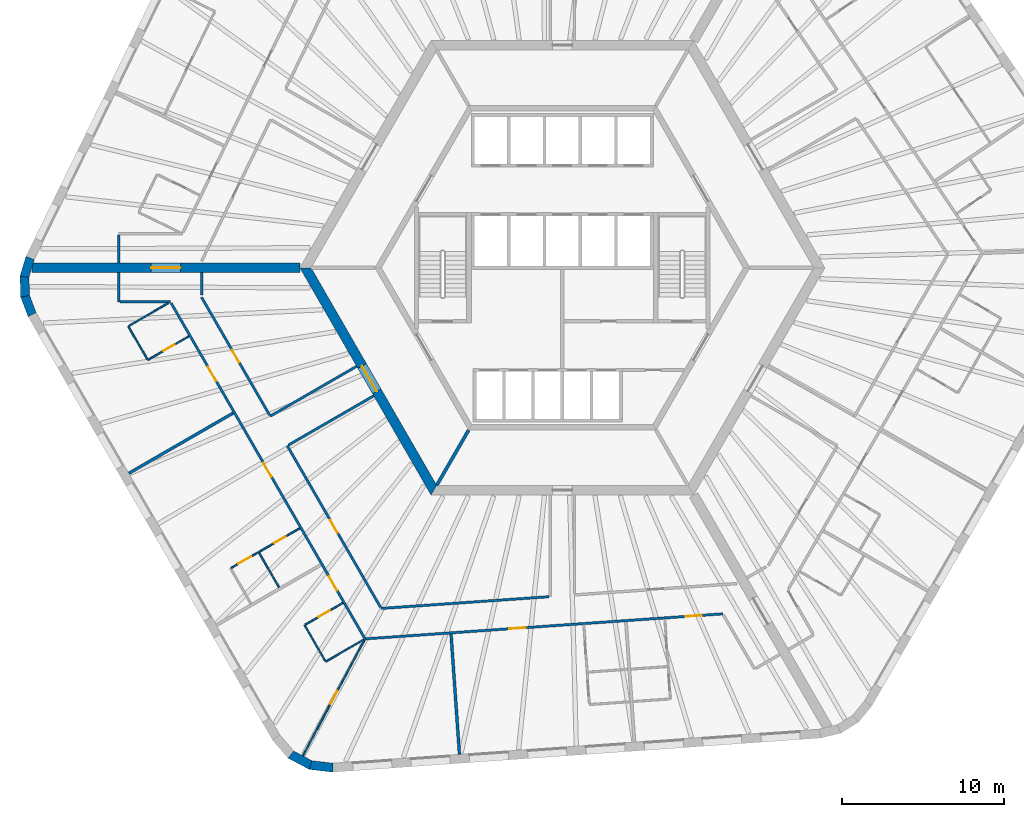
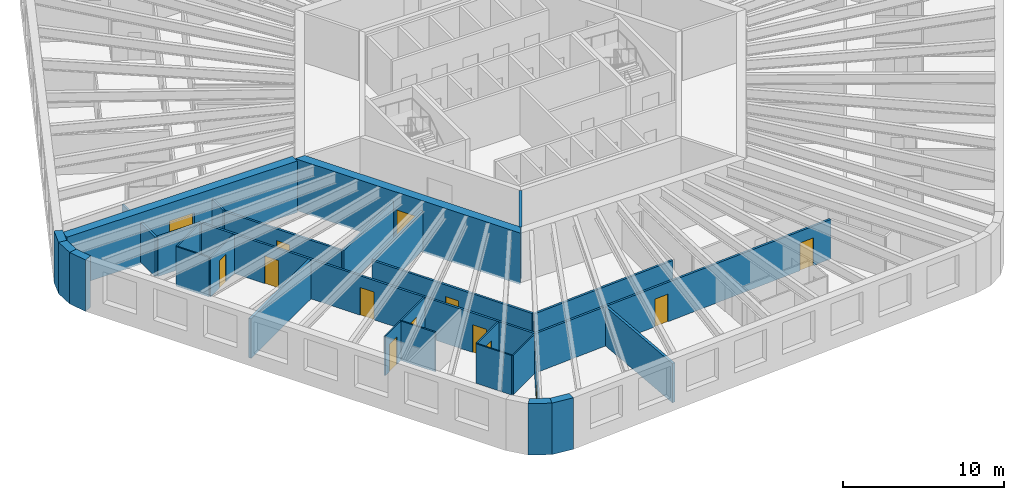
# One storey, part 3 of 11: 31 walls, 14 doors, 14 openings.
"""IFC4 building model written with IfcOpenShell, lengths in metres."""

from ifc_helpers import new_model, si_unit, direction, frame, frame_2d, origin, place, context, subcontext, project, spatial, polyline, rectangle, outline, extrude, material, layer, layer_set, type_object, element, fill, save


model = new_model("IFC4")

# Units and contexts
model_context = context("Model", 3, precision=1e-05, world=origin(), true_north=direction((0.0, 1.0)))
body_context = subcontext(model_context, "Body", "Model", "MODEL_VIEW")
ifc_project = project(units=[si_unit("LENGTHUNIT", "METRE"), si_unit("AREAUNIT", "SQUARE_METRE"), si_unit("VOLUMEUNIT", "CUBIC_METRE"), si_unit("PLANEANGLEUNIT", "RADIAN"), si_unit("MASSUNIT", "GRAM", prefix="KILO")], contexts=[model_context])

# Site, building, storey
site_placement = place(None, origin())
site = spatial("IfcSite", under=ifc_project, at=site_placement, CompositionType="ELEMENT")
building_placement = place(site_placement, origin())
building = spatial("IfcBuilding", under=site, at=building_placement, Name="Tarnside Tower", CompositionType="ELEMENT")
storey_placement = place(building_placement, frame((0.0, 0.0, 45.300048828125)))
storey = spatial("IfcBuildingStorey", under=building, at=storey_placement, Name="L08", CompositionType="ELEMENT", Elevation=45.300048828125)

# Wall, opening, door
ifc_material_1 = material(Name="Gypsum board partition on steel studs", Category="steel")
ifc_layer_1 = layer(ifc_material_1, 0.10009765625)
ifc_layer_set_1 = layer_set([ifc_layer_1], Name="Bathroom wall 100")
wall_type_1 = type_object("IfcWallType", Name="Bathroom wall 100", PredefinedType="PARTITIONING", material=ifc_layer_set_1)
wall_1_placement = place(storey_placement, frame((-22.998291015625, -4.216064453125, 0.0), z_axis=(0.0, 0.0, 1.0), x_axis=(-0.866025730634, -0.499999433879, 0.0)))
wall_1 = element("IfcWall", 1, at=wall_1_placement, inside=storey, type_object=wall_type_1, Name="Bathroom wall 01100", PredefinedType="PARTITIONING", context=body_context, shape_type="SweptSolid", body=[
    extrude(rectangle(XDim=2.9248046875, YDim=0.10009765625, at=frame_2d((1.46240234375, 0.0))), origin(), (0.0, 0.0, 1.0), 2.98779296875),
])
opening_1_placement = place(wall_1_placement, frame((1.02490234375, 0.0, 0.0)))
opening_1 = element("IfcOpeningElement", 2, at=opening_1_placement, cuts=wall_1, Name="Opening D-B1", PredefinedType="OPENING", context=body_context, shape_type="SweptSolid", body=[
    extrude(rectangle(XDim=0.800048828125, YDim=2.10009765625, at=frame_2d((0.39990234375, 1.050048828125))), frame((0.0, 0.06005859375, 0.0), z_axis=(0.0, -1.0, 0.0), x_axis=(1.0, 0.0, 0.0)), (0.0, 0.0, 1.0), 0.1201171875),
])
ifc_material_2 = material(Name="Timber door leaf", Category="wood")
door_type_1 = type_object("IfcDoorType", Name="Bathroom door 800", OperationType="NOTDEFINED", PredefinedType="DOOR", material=ifc_material_2)
door_1_placement = place(opening_1_placement, origin())
door_1 = element("IfcDoor", 3, at=door_1_placement, inside=storey, type_object=door_type_1, Name="Bathroom door 01014", OperationType="SINGLE_SWING_RIGHT", OverallHeight=2.10009765625, OverallWidth=0.800048828125, PredefinedType="DOOR", context=body_context, shape_type="SweptSolid", body=[
    extrude(rectangle(XDim=0.800048828125, YDim=2.10009765625, at=frame_2d((0.39990234375, 1.050048828125))), frame((0.0, 0.02490234375, 0.0), z_axis=(0.0, -1.0, 0.0), x_axis=(1.0, 0.0, 0.0)), (0.0, 0.0, 1.0), 0.050048828125),
])
fill(opening_1, door_1)

# Walls
wall_2_placement = place(storey_placement, frame((-25.556396484375, -5.63525390625, 0.0), z_axis=(0.0, 0.0, 1.0), x_axis=(-0.499938297808, 0.866061024631, 0.0)))
element("IfcWall", 4, at=wall_2_placement, inside=storey, type_object=wall_type_1, Name="Bathroom wall 01101", PredefinedType="PARTITIONING", context=body_context, shape_type="SweptSolid", body=[
    extrude(rectangle(XDim=2.349853515625, YDim=0.10009765625, at=frame_2d((1.1748046875, 0.0))), origin(), (0.0, 0.0, 1.0), 2.98779296875),
])
wall_3_placement = place(storey_placement, frame((-26.68798828125, -3.574951171875, 0.0), z_axis=(0.0, 0.0, 1.0), x_axis=(0.866034573852, 0.49998411664, 0.0)))
element("IfcWall", 5, at=wall_3_placement, inside=storey, type_object=wall_type_1, Name="Bathroom wall 01102", PredefinedType="PARTITIONING", context=body_context, shape_type="SweptSolid", body=[
    extrude(rectangle(XDim=2.7998046875, YDim=0.10009765625, at=frame_2d((1.39990234375, 0.0))), origin(), (0.0, 0.0, 1.0), 2.98779296875),
])

# Wall, opening, door
wall_4_placement = place(storey_placement, frame((-18.701904296875, -17.507568359375, 0.0), z_axis=(0.0, 0.0, 1.0), x_axis=(0.86601045545, 0.500025890382, 0.0)))
wall_4 = element("IfcWall", 6, at=wall_4_placement, inside=storey, type_object=wall_type_1, Name="Bathroom wall 01104", PredefinedType="PARTITIONING", context=body_context, shape_type="SweptSolid", body=[
    extrude(rectangle(XDim=2.925048828125, YDim=0.10009765625, at=frame_2d((1.46240234375, 0.0))), origin(), (0.0, 0.0, 1.0), 2.98779296875),
])
opening_2_placement = place(wall_4_placement, frame((1.10009765625, 0.0, 0.0)))
opening_2 = element("IfcOpeningElement", 7, at=opening_2_placement, cuts=wall_4, Name="Opening D-B1", PredefinedType="OPENING", context=body_context, shape_type="SweptSolid", body=[
    extrude(rectangle(XDim=0.800048828125, YDim=2.10009765625, at=frame_2d((0.39990234375, 1.050048828125))), frame((0.0, 0.06005859375, 0.0), z_axis=(0.0, -1.0, 0.0), x_axis=(1.0, 0.0, 0.0)), (0.0, 0.0, 1.0), 0.1201171875),
])
door_2_placement = place(opening_2_placement, origin())
door_2 = element("IfcDoor", 8, at=door_2_placement, inside=storey, type_object=door_type_1, Name="Bathroom door 01016", OperationType="SINGLE_SWING_LEFT", OverallHeight=2.10009765625, OverallWidth=0.800048828125, PredefinedType="DOOR", context=body_context, shape_type="SweptSolid", body=[
    extrude(rectangle(XDim=0.800048828125, YDim=2.10009765625, at=frame_2d((0.39990234375, 1.050048828125))), frame((0.0, 0.02490234375, 0.0), z_axis=(0.0, -1.0, 0.0), x_axis=(1.0, 0.0, 0.0)), (0.0, 0.0, 1.0), 0.050048828125),
])
fill(opening_2, door_2)

# Walls
wall_5_placement = place(storey_placement, frame((-18.6767578125, -17.55078125, 0.0), z_axis=(0.0, 0.0, 1.0), x_axis=(0.500003092839, -0.866023618125, 0.0)))
element("IfcWall", 9, at=wall_5_placement, inside=storey, type_object=wall_type_1, Name="Bathroom wall 01108", PredefinedType="PARTITIONING", context=body_context, shape_type="SweptSolid", body=[
    extrude(rectangle(XDim=2.4599609375, YDim=0.10009765625, at=frame_2d((1.22998046875, 0.0))), origin(), (0.0, 0.0, 1.0), 2.98779296875),
])
wall_6_placement = place(storey_placement, frame((-12.21630859375, -22.890869140625, 0.0), z_axis=(0.0, 0.0, 1.0), x_axis=(-0.866012511928, -0.500022328685, 0.0)))
element("IfcWall", 10, at=wall_6_placement, inside=storey, type_object=wall_type_1, Name="Bathroom wall 01111", PredefinedType="PARTITIONING", context=body_context, shape_type="SweptSolid", body=[
    extrude(rectangle(XDim=2.72509765625, YDim=0.10009765625, at=frame_2d((1.362548828125, 0.0))), origin(), (0.0, 0.0, 1.0), 2.98779296875),
])
wall_7_placement = place(storey_placement, frame((-14.60107421875, -24.2099609375, 0.0), z_axis=(0.0, 0.0, 1.0), x_axis=(-0.500062241894, 0.865989465428, 0.0)))
element("IfcWall", 11, at=wall_7_placement, inside=storey, type_object=wall_type_1, Name="Bathroom wall 01112", PredefinedType="PARTITIONING", context=body_context, shape_type="SweptSolid", body=[
    extrude(rectangle(XDim=2.550048828125, YDim=0.10009765625, at=frame_2d((1.27490234375, 0.0))), origin(), (0.0, 0.0, 1.0), 2.98779296875),
])

# Wall, opening, door
wall_8_placement = place(storey_placement, frame((-15.8330078125, -21.9765625, 0.0), z_axis=(0.0, 0.0, 1.0), x_axis=(0.86604424267, 0.499967368674, 0.0)))
wall_8 = element("IfcWall", 12, at=wall_8_placement, inside=storey, type_object=wall_type_1, Name="Bathroom wall 01113", PredefinedType="PARTITIONING", context=body_context, shape_type="SweptSolid", body=[
    extrude(rectangle(XDim=2.675048828125, YDim=0.10009765625, at=frame_2d((1.33740234375, 0.0))), origin(), (0.0, 0.0, 1.0), 2.98779296875),
])
opening_3_placement = place(wall_8_placement, frame((0.949951171875, 0.0, 0.0)))
opening_3 = element("IfcOpeningElement", 13, at=opening_3_placement, cuts=wall_8, Name="Opening D-B1", PredefinedType="OPENING", context=body_context, shape_type="SweptSolid", body=[
    extrude(rectangle(XDim=0.800048828125, YDim=2.10009765625, at=frame_2d((0.39990234375, 1.050048828125))), frame((0.0, 0.06005859375, 0.0), z_axis=(0.0, -1.0, 0.0), x_axis=(1.0, 0.0, 0.0)), (0.0, 0.0, 1.0), 0.1201171875),
])
door_3_placement = place(opening_3_placement, origin())
door_3 = element("IfcDoor", 14, at=door_3_placement, inside=storey, type_object=door_type_1, Name="Bathroom door 01019", OperationType="SINGLE_SWING_LEFT", OverallHeight=2.10009765625, OverallWidth=0.800048828125, PredefinedType="DOOR", context=body_context, shape_type="SweptSolid", body=[
    extrude(rectangle(XDim=0.800048828125, YDim=2.10009765625, at=frame_2d((0.39990234375, 1.050048828125))), frame((0.0, 0.02490234375, 0.0), z_axis=(0.0, -1.0, 0.0), x_axis=(1.0, 0.0, 0.0)), (0.0, 0.0, 1.0), 0.050048828125),
])
fill(opening_3, door_3)

ifc_material_3 = material(Name="Concrete C80/95", Category="concrete")
ifc_layer_2 = layer(ifc_material_3, 0.60009765625)
ifc_layer_set_2 = layer_set([ifc_layer_2], Name="Core wall Z1 600 C80/95")
wall_type_2 = type_object("IfcWallType", Name="Core wall Z1 600 C80/95", PredefinedType="SHEAR", material=ifc_layer_set_2)
wall_9_placement = place(storey_placement, frame((-15.8193359375, 0.0, -0.150146484375), z_axis=(0.0, 0.0, 1.0), x_axis=(0.499999880136, -0.866025472988, 0.0)))
wall_9 = element("IfcWall", 15, at=wall_9_placement, inside=storey, type_object=wall_type_2, Name="L08 core wall face 3", PredefinedType="SHEAR", context=body_context, shape_type="SweptSolid", body=[
    extrude(outline(polyline([(-0.17333984375, -0.300048828125), (15.99267578125, -0.300048828125), (15.64599609375, 0.300048828125), (0.17333984375, 0.300048828125), (-0.17333984375, -0.300048828125)])), origin(), (0.0, 0.0, 1.0), 3.900146484375),
])
opening_4_placement = place(wall_9_placement, frame((6.980712890625, 0.0, 0.14990234375)))
opening_4 = element("IfcOpeningElement", 16, at=opening_4_placement, cuts=wall_9, Name="Opening CD-FFL", PredefinedType="OPENING", context=body_context, shape_type="SweptSolid", body=[
    extrude(rectangle(XDim=1.800048828125, YDim=2.39990234375, at=frame_2d((0.89990234375, 1.199951171875))), frame((0.0, 0.31005859375, 0.0), z_axis=(0.0, -1.0, 0.0), x_axis=(1.0, 0.0, 0.0)), (0.0, 0.0, 1.0), 0.6201171875),
])
ifc_material_4 = material(Name="Steel fire door", Category="steel")
door_type_2 = type_object("IfcDoorType", Name="Firefighting lobby double door FD60S 1800x2400", OperationType="NOTDEFINED", PredefinedType="DOOR", material=ifc_material_4)
door_4_placement = place(opening_4_placement, origin())
door_4 = element("IfcDoor", 17, at=door_4_placement, inside=storey, type_object=door_type_2, Name="L08 core door P3", OperationType="DOUBLE_DOOR_SINGLE_SWING", OverallHeight=2.39990234375, OverallWidth=1.800048828125, PredefinedType="DOOR", context=body_context, shape_type="SweptSolid", body=[
    extrude(rectangle(XDim=1.800048828125, YDim=2.39990234375, at=frame_2d((0.89990234375, 1.199951171875))), frame((0.0, 0.02490234375, 0.0), z_axis=(0.0, -1.0, 0.0), x_axis=(1.0, 0.0, 0.0)), (0.0, 0.0, 1.0), 0.050048828125),
])
fill(opening_4, door_4)

wall_10_placement = place(storey_placement, frame((-16.165771484375, 0.0, -0.150146484375), z_axis=(0.0, 0.0, 1.0), x_axis=(-1.0, 0.0, 0.0)))
wall_10 = element("IfcWall", 18, at=wall_10_placement, inside=storey, type_object=wall_type_2, Name="L08 spine wall 2", PredefinedType="SHEAR", context=body_context, shape_type="SweptSolid", body=[
    extrude(rectangle(XDim=16.509033203125, YDim=0.60009765625, at=frame_2d((8.25439453125, 0.0))), origin(), (0.0, 0.0, 1.0), 3.900146484375),
])
opening_5_placement = place(wall_10_placement, frame((7.3544921875, 0.0, 0.14990234375)))
opening_5 = element("IfcOpeningElement", 19, at=opening_5_placement, cuts=wall_10, Name="Opening CD-SPN", PredefinedType="OPENING", context=body_context, shape_type="SweptSolid", body=[
    extrude(rectangle(XDim=1.800048828125, YDim=2.39990234375, at=frame_2d((0.89990234375, 1.199951171875))), frame((0.0, 0.31005859375, 0.0), z_axis=(0.0, -1.0, 0.0), x_axis=(1.0, 0.0, 0.0)), (0.0, 0.0, 1.0), 0.6201171875),
])
door_type_3 = type_object("IfcDoorType", Name="Spine passage double door FD60 1800x2400", OperationType="NOTDEFINED", PredefinedType="DOOR", material=ifc_material_4)
door_5_placement = place(opening_5_placement, origin())
door_5 = element("IfcDoor", 20, at=door_5_placement, inside=storey, type_object=door_type_3, Name="L08 spine passage door 2", OperationType="DOUBLE_DOOR_SINGLE_SWING", OverallHeight=2.39990234375, OverallWidth=1.800048828125, PredefinedType="DOOR", context=body_context, shape_type="SweptSolid", body=[
    extrude(rectangle(XDim=1.800048828125, YDim=2.39990234375, at=frame_2d((0.89990234375, 1.199951171875))), frame((0.0, 0.02490234375, 0.0), z_axis=(0.0, -1.0, 0.0), x_axis=(1.0, 0.0, 0.0)), (0.0, 0.0, 1.0), 0.050048828125),
])
fill(opening_5, door_5)

# Walls
ifc_layer_3 = layer(ifc_material_1, 0.14990234375)
ifc_layer_set_3 = layer_set([ifc_layer_3], Name="Corridor wall 150 EI 60")
wall_type_3 = type_object("IfcWallType", Name="Corridor wall 150 EI 60", PredefinedType="PARTITIONING", material=ifc_layer_set_3)
wall_11_placement = place(storey_placement, frame((-27.3203125, 2.02490234375, 0.0), z_axis=(0.0, 0.0, 1.0), x_axis=(0.0, -1.0, 0.0)))
element("IfcWall", 21, at=wall_11_placement, inside=storey, type_object=wall_type_3, Name="Corridor wall 01013", PredefinedType="PARTITIONING", context=body_context, shape_type="SweptSolid", body=[
    extrude(rectangle(XDim=1.724853515625, YDim=0.14990234375, at=frame_2d((0.8623046875, 0.0))), origin(), (0.0, 0.0, 1.0), 2.98779296875),
])
wall_12_placement = place(storey_placement, frame((-27.3203125, -0.300048828125, 0.0), z_axis=(0.0, 0.0, 1.0), x_axis=(0.0, -1.0, 0.0)))
element("IfcWall", 22, at=wall_12_placement, inside=storey, type_object=wall_type_3, Name="Corridor wall 01025", PredefinedType="PARTITIONING", context=body_context, shape_type="SweptSolid", body=[
    extrude(rectangle(XDim=1.800048828125, YDim=0.14990234375, at=frame_2d((0.89990234375, 0.0))), origin(), (0.0, 0.0, 1.0), 2.98779296875),
])
wall_13_placement = place(storey_placement, frame((-27.245361328125, -2.10009765625, 0.0), z_axis=(0.0, 0.0, 1.0), x_axis=(1.0, 0.0, 0.0)))
element("IfcWall", 23, at=wall_13_placement, inside=storey, type_object=wall_type_3, Name="Corridor wall 01026", PredefinedType="PARTITIONING", context=body_context, shape_type="SweptSolid", body=[
    extrude(rectangle(XDim=3.112060546875, YDim=0.14990234375, at=frame_2d((1.55615234375, 0.0))), origin(), (0.0, 0.0, 1.0), 2.98779296875),
])

# Wall, openings, doors
wall_14_placement = place(storey_placement, frame((-24.08984375, -2.175048828125, 0.0), z_axis=(0.0, 0.0, 1.0), x_axis=(0.499996832073, -0.86602723278, 0.0)))
wall_14 = element("IfcWall", 24, at=wall_14_placement, inside=storey, type_object=wall_type_3, Name="Corridor wall 01027", PredefinedType="PARTITIONING", context=body_context, shape_type="SweptSolid", body=[
    extrude(rectangle(XDim=23.877197265625, YDim=0.14990234375, at=frame_2d((11.9384765625, 0.0))), origin(), (0.0, 0.0, 1.0), 2.98779296875),
])
opening_6_placement = place(wall_14_placement, frame((4.54296875, 0.0, 0.0)))
opening_6 = element("IfcOpeningElement", 25, at=opening_6_placement, cuts=wall_14, Name="Opening D-E1", PredefinedType="OPENING", context=body_context, shape_type="SweptSolid", body=[
    extrude(rectangle(XDim=1.0, YDim=2.10009765625, at=frame_2d((0.5, 1.050048828125))), frame((0.0, 0.0849609375, 0.0), z_axis=(0.0, -1.0, 0.0), x_axis=(1.0, 0.0, 0.0)), (0.0, 0.0, 1.0), 0.169921875),
])
opening_7_placement = place(wall_14_placement, frame((11.372314453125, 0.0, 0.0)))
opening_7 = element("IfcOpeningElement", 26, at=opening_7_placement, cuts=wall_14, Name="Opening D-E1", PredefinedType="OPENING", context=body_context, shape_type="SweptSolid", body=[
    extrude(rectangle(XDim=1.0, YDim=2.10009765625, at=frame_2d((0.5, 1.050048828125))), frame((0.0, 0.0849609375, 0.0), z_axis=(0.0, -1.0, 0.0), x_axis=(1.0, 0.0, 0.0)), (0.0, 0.0, 1.0), 0.169921875),
])
opening_8_placement = place(wall_14_placement, frame((19.4248046875, 0.0, 0.0)))
opening_8 = element("IfcOpeningElement", 27, at=opening_8_placement, cuts=wall_14, Name="Opening D-E1", PredefinedType="OPENING", context=body_context, shape_type="SweptSolid", body=[
    extrude(rectangle(XDim=1.0, YDim=2.10009765625, at=frame_2d((0.5, 1.050048828125))), frame((0.0, 0.0849609375, 0.0), z_axis=(0.0, -1.0, 0.0), x_axis=(1.0, 0.0, 0.0)), (0.0, 0.0, 1.0), 0.169921875),
])
door_type_4 = type_object("IfcDoorType", Name="Unit entrance door 1000 FD30S", OperationType="NOTDEFINED", PredefinedType="DOOR", material=ifc_material_2)
door_6_placement = place(opening_6_placement, origin())
door_6 = element("IfcDoor", 28, at=door_6_placement, inside=storey, type_object=door_type_4, Name="Unit door 01013", OperationType="SINGLE_SWING_RIGHT", OverallHeight=2.10009765625, OverallWidth=1.0, PredefinedType="DOOR", context=body_context, shape_type="SweptSolid", body=[
    extrude(rectangle(XDim=1.0, YDim=2.10009765625, at=frame_2d((0.5, 1.050048828125))), frame((0.0, 0.02490234375, 0.0), z_axis=(0.0, -1.0, 0.0), x_axis=(1.0, 0.0, 0.0)), (0.0, 0.0, 1.0), 0.050048828125),
])
fill(opening_6, door_6)
door_7_placement = place(opening_7_placement, origin())
door_7 = element("IfcDoor", 29, at=door_7_placement, inside=storey, type_object=door_type_4, Name="Unit door 01015", OperationType="SINGLE_SWING_RIGHT", OverallHeight=2.10009765625, OverallWidth=1.0, PredefinedType="DOOR", context=body_context, shape_type="SweptSolid", body=[
    extrude(rectangle(XDim=1.0, YDim=2.10009765625, at=frame_2d((0.5, 1.050048828125))), frame((0.0, 0.02490234375, 0.0), z_axis=(0.0, -1.0, 0.0), x_axis=(1.0, 0.0, 0.0)), (0.0, 0.0, 1.0), 0.050048828125),
])
fill(opening_7, door_7)
door_8_placement = place(opening_8_placement, origin())
door_8 = element("IfcDoor", 30, at=door_8_placement, inside=storey, type_object=door_type_4, Name="Unit door 01018", OperationType="SINGLE_SWING_RIGHT", OverallHeight=2.10009765625, OverallWidth=1.0, PredefinedType="DOOR", context=body_context, shape_type="SweptSolid", body=[
    extrude(rectangle(XDim=1.0, YDim=2.10009765625, at=frame_2d((0.5, 1.050048828125))), frame((0.0, 0.02490234375, 0.0), z_axis=(0.0, -1.0, 0.0), x_axis=(1.0, 0.0, 0.0)), (0.0, 0.0, 1.0), 0.050048828125),
])
fill(opening_8, door_8)

wall_15_placement = place(storey_placement, frame((-12.1513671875, -22.853271484375, 0.0), z_axis=(0.0, 0.0, 1.0), x_axis=(0.99756425444, 0.069753553767, 0.0)))
wall_15 = element("IfcWall", 31, at=wall_15_placement, inside=storey, type_object=wall_type_3, Name="Corridor wall 01033", PredefinedType="PARTITIONING", context=body_context, shape_type="SweptSolid", body=[
    extrude(rectangle(XDim=22.085205078125, YDim=0.14990234375, at=frame_2d((11.04248046875, 0.0))), origin(), (0.0, 0.0, 1.0), 2.98779296875),
])
opening_9_placement = place(wall_15_placement, frame((8.90478515625, 0.0, 0.0)))
opening_9 = element("IfcOpeningElement", 32, at=opening_9_placement, cuts=wall_15, Name="Opening D-E1", PredefinedType="OPENING", context=body_context, shape_type="SweptSolid", body=[
    extrude(rectangle(XDim=1.0, YDim=2.10009765625, at=frame_2d((0.5, 1.050048828125))), frame((0.0, 0.0849609375, 0.0), z_axis=(0.0, -1.0, 0.0), x_axis=(1.0, 0.0, 0.0)), (0.0, 0.0, 1.0), 0.169921875),
])
opening_10_placement = place(wall_15_placement, frame((19.794921875, 0.0, 0.0)))
opening_10 = element("IfcOpeningElement", 33, at=opening_10_placement, cuts=wall_15, Name="Opening D-E1", PredefinedType="OPENING", context=body_context, shape_type="SweptSolid", body=[
    extrude(rectangle(XDim=1.0, YDim=2.10009765625, at=frame_2d((0.5, 1.050048828125))), frame((0.0, 0.0849609375, 0.0), z_axis=(0.0, -1.0, 0.0), x_axis=(1.0, 0.0, 0.0)), (0.0, 0.0, 1.0), 0.169921875),
])
door_9_placement = place(opening_9_placement, origin())
door_9 = element("IfcDoor", 34, at=door_9_placement, inside=storey, type_object=door_type_4, Name="Unit door 01021", OperationType="SINGLE_SWING_RIGHT", OverallHeight=2.10009765625, OverallWidth=1.0, PredefinedType="DOOR", context=body_context, shape_type="SweptSolid", body=[
    extrude(rectangle(XDim=1.0, YDim=2.10009765625, at=frame_2d((0.5, 1.050048828125))), frame((0.0, 0.02490234375, 0.0), z_axis=(0.0, -1.0, 0.0), x_axis=(1.0, 0.0, 0.0)), (0.0, 0.0, 1.0), 0.050048828125),
])
fill(opening_9, door_9)
door_10_placement = place(opening_10_placement, origin())
door_10 = element("IfcDoor", 35, at=door_10_placement, inside=storey, type_object=door_type_4, Name="Unit door 01024", OperationType="SINGLE_SWING_LEFT", OverallHeight=2.10009765625, OverallWidth=1.0, PredefinedType="DOOR", context=body_context, shape_type="SweptSolid", body=[
    extrude(rectangle(XDim=1.0, YDim=2.10009765625, at=frame_2d((0.5, 1.050048828125))), frame((0.0, 0.02490234375, 0.0), z_axis=(0.0, -1.0, 0.0), x_axis=(1.0, 0.0, 0.0)), (0.0, 0.0, 1.0), 0.050048828125),
])
fill(opening_10, door_10)

# Wall
wall_16_placement = place(storey_placement, frame((-12.663818359375, -6.065673828125, 0.0), z_axis=(0.0, 0.0, 1.0), x_axis=(-0.866023618125, -0.500003092839, 0.0)))
element("IfcWall", 36, at=wall_16_placement, inside=storey, type_object=wall_type_3, Name="Corridor wall 01040", PredefinedType="PARTITIONING", context=body_context, shape_type="SweptSolid", body=[
    extrude(rectangle(XDim=6.14990234375, YDim=0.14990234375, at=frame_2d((3.074951171875, 0.0))), origin(), (0.0, 0.0, 1.0), 2.98779296875),
])

# Wall, opening, door
wall_17_placement = place(storey_placement, frame((-18.02734375, -9.07568359375, 0.0), z_axis=(0.0, 0.0, 1.0), x_axis=(-0.500007318041, 0.86602117867, 0.0)))
wall_17 = element("IfcWall", 37, at=wall_17_placement, inside=storey, type_object=wall_type_3, Name="Corridor wall 01041", PredefinedType="PARTITIONING", context=body_context, shape_type="SweptSolid", body=[
    extrude(rectangle(XDim=8.383056640625, YDim=0.14990234375, at=frame_2d((4.19140625, 0.0))), origin(), (0.0, 0.0, 1.0), 2.98779296875),
])
opening_11_placement = place(wall_17_placement, frame((3.74169921875, 0.0, 0.0)))
opening_11 = element("IfcOpeningElement", 38, at=opening_11_placement, cuts=wall_17, Name="Opening D-S1", PredefinedType="OPENING", context=body_context, shape_type="SweptSolid", body=[
    extrude(rectangle(XDim=0.89990234375, YDim=2.10009765625, at=frame_2d((0.449951171875, 1.050048828125))), frame((0.0, 0.0849609375, 0.0), z_axis=(0.0, -1.0, 0.0), x_axis=(1.0, 0.0, 0.0)), (0.0, 0.0, 1.0), 0.169921875),
])
door_type_5 = type_object("IfcDoorType", Name="Service room door 900 FD30S", OperationType="NOTDEFINED", PredefinedType="DOOR", material=ifc_material_2)
door_11_placement = place(opening_11_placement, origin())
door_11 = element("IfcDoor", 39, at=door_11_placement, inside=storey, type_object=door_type_5, Name="Service door 01045", OperationType="SINGLE_SWING_RIGHT", OverallHeight=2.10009765625, OverallWidth=0.89990234375, PredefinedType="DOOR", context=body_context, shape_type="SweptSolid", body=[
    extrude(rectangle(XDim=0.89990234375, YDim=2.10009765625, at=frame_2d((0.449951171875, 1.050048828125))), frame((0.0, 0.02490234375, 0.0), z_axis=(0.0, -1.0, 0.0), x_axis=(1.0, 0.0, 0.0)), (0.0, 0.0, 1.0), 0.050048828125),
])
fill(opening_11, door_11)

# Walls
wall_18_placement = place(storey_placement, frame((-22.218994140625, -1.665771484375, 0.0), z_axis=(0.0, 0.0, 1.0), x_axis=(0.0, 1.0, 0.0)))
element("IfcWall", 40, at=wall_18_placement, inside=storey, type_object=wall_type_3, Name="Corridor wall 01042", PredefinedType="PARTITIONING", context=body_context, shape_type="SweptSolid", body=[
    extrude(rectangle(XDim=1.36572265625, YDim=0.14990234375, at=frame_2d((0.682861328125, 0.0))), origin(), (0.0, 0.0, 1.0), 2.98779296875),
])
wall_19_placement = place(storey_placement, frame((-0.824951171875, -20.2568359375, 0.0), z_axis=(0.0, 0.0, 1.0), x_axis=(-0.9975635143, -0.069764137903, 0.0)))
element("IfcWall", 41, at=wall_19_placement, inside=storey, type_object=wall_type_3, Name="Corridor wall 01044", PredefinedType="PARTITIONING", context=body_context, shape_type="SweptSolid", body=[
    extrude(rectangle(XDim=10.35498046875, YDim=0.14990234375, at=frame_2d((5.177490234375, 0.0))), origin(), (0.0, 0.0, 1.0), 2.98779296875),
])

# Wall, opening, door
wall_20_placement = place(storey_placement, frame((-11.196533203125, -20.906982421875, 0.0), z_axis=(0.0, 0.0, 1.0), x_axis=(-0.500004557924, 0.86602277225, 0.0)))
wall_20 = element("IfcWall", 42, at=wall_20_placement, inside=storey, type_object=wall_type_3, Name="Corridor wall 01045", PredefinedType="PARTITIONING", context=body_context, shape_type="SweptSolid", body=[
    extrude(rectangle(XDim=11.48681640625, YDim=0.14990234375, at=frame_2d((5.743408203125, 0.0))), origin(), (0.0, 0.0, 1.0), 2.98779296875),
])
opening_12_placement = place(wall_20_placement, frame((5.293212890625, 0.0, 0.0)))
opening_12 = element("IfcOpeningElement", 43, at=opening_12_placement, cuts=wall_20, Name="Opening D-S1", PredefinedType="OPENING", context=body_context, shape_type="SweptSolid", body=[
    extrude(rectangle(XDim=0.89990234375, YDim=2.10009765625, at=frame_2d((0.449951171875, 1.050048828125))), frame((0.0, 0.0849609375, 0.0), z_axis=(0.0, -1.0, 0.0), x_axis=(1.0, 0.0, 0.0)), (0.0, 0.0, 1.0), 0.169921875),
])
door_12_placement = place(opening_12_placement, origin())
door_12 = element("IfcDoor", 44, at=door_12_placement, inside=storey, type_object=door_type_5, Name="Service door 01046", OperationType="SINGLE_SWING_RIGHT", OverallHeight=2.10009765625, OverallWidth=0.89990234375, PredefinedType="DOOR", context=body_context, shape_type="SweptSolid", body=[
    extrude(rectangle(XDim=0.89990234375, YDim=2.10009765625, at=frame_2d((0.449951171875, 1.050048828125))), frame((0.0, 0.02490234375, 0.0), z_axis=(0.0, -1.0, 0.0), x_axis=(1.0, 0.0, 0.0)), (0.0, 0.0, 1.0), 0.050048828125),
])
fill(opening_12, door_12)

# Walls
wall_21_placement = place(storey_placement, frame((-16.875, -10.921875, 0.0), z_axis=(0.0, 0.0, 1.0), x_axis=(0.866023634079, 0.500003065207, 0.0)))
element("IfcWall", 45, at=wall_21_placement, inside=storey, type_object=wall_type_3, Name="Corridor wall 01046", PredefinedType="PARTITIONING", context=body_context, shape_type="SweptSolid", body=[
    extrude(rectangle(XDim=6.0751953125, YDim=0.14990234375, at=frame_2d((3.03759765625, 0.0))), origin(), (0.0, 0.0, 1.0), 2.98779296875),
])
ifc_layer_4 = layer(ifc_material_1, 0.179931640625)
ifc_layer_set_4 = layer_set([ifc_layer_4], Name="Demising wall 180 EI 60")
wall_type_4 = type_object("IfcWallType", Name="Demising wall 180 EI 60", PredefinedType="PARTITIONING", material=ifc_layer_set_4)
wall_22_placement = place(storey_placement, frame((-26.698974609375, -12.656005859375, 0.0), z_axis=(0.0, 0.0, 1.0), x_axis=(0.866028983062, 0.499993800457, 0.0)))
element("IfcWall", 46, at=wall_22_placement, inside=storey, type_object=wall_type_4, Name="Demising wall 01103", PredefinedType="PARTITIONING", context=body_context, shape_type="SweptSolid", body=[
    extrude(rectangle(XDim=7.4248046875, YDim=0.179931640625, at=frame_2d((3.71240234375, 0.0))), origin(), (0.0, 0.0, 1.0), 2.98779296875),
])
wall_23_placement = place(storey_placement, frame((-6.336181640625, -29.965087890625, 0.0), z_axis=(0.0, 0.0, 1.0), x_axis=(-0.06977252161, 0.997562927954, 0.0)))
element("IfcWall", 47, at=wall_23_placement, inside=storey, type_object=wall_type_4, Name="Demising wall 01115", PredefinedType="PARTITIONING", context=body_context, shape_type="SweptSolid", body=[
    extrude(rectangle(XDim=7.425048828125, YDim=0.179931640625, at=frame_2d((3.71240234375, 0.0))), origin(), (0.0, 0.0, 1.0), 2.98779296875),
])
ifc_material_5 = material(Name="Concrete C40/50", Category="concrete")
ifc_layer_5 = layer(ifc_material_5, 0.199951171875)
ifc_layer_set_5 = layer_set([ifc_layer_5], Name="Lift shaft wall 200 C40/50")
wall_type_5 = type_object("IfcWallType", Name="Lift shaft wall 200 C40/50", PredefinedType="SHEAR", material=ifc_layer_set_5)
wall_24_placement = place(storey_placement, frame((-5.7734375, -10.0, -0.150146484375), z_axis=(0.0, 0.0, 1.0), x_axis=(-0.500038251005, -0.86600331843, 0.0)))
element("IfcWall", 48, at=wall_24_placement, inside=storey, type_object=wall_type_5, Name="L08 core partition AR240", PredefinedType="SHEAR", context=body_context, shape_type="SweptSolid", body=[
    extrude(rectangle(XDim=3.926025390625, YDim=0.199951171875, at=frame_2d((1.962890625, 0.0))), origin(), (0.0, 0.0, 1.0), 3.900146484375),
])

# Wall, opening, door
ifc_layer_6 = layer(ifc_material_1, 0.10009765625)
ifc_layer_set_6 = layer_set([ifc_layer_6], Name="Partition 100")
wall_type_6 = type_object("IfcWallType", Name="Partition 100", PredefinedType="PARTITIONING", material=ifc_layer_set_6)
wall_25_placement = place(storey_placement, frame((-20.390625, -18.482421875, 0.0), z_axis=(0.0, 0.0, 1.0), x_axis=(0.866044365799, 0.499967155389, 0.0)))
wall_25 = element("IfcWall", 49, at=wall_25_placement, inside=storey, type_object=wall_type_6, Name="Partition wall 01106", PredefinedType="PARTITIONING", context=body_context, shape_type="SweptSolid", body=[
    extrude(rectangle(XDim=1.900146484375, YDim=0.10009765625, at=frame_2d((0.9501953125, 0.0))), origin(), (0.0, 0.0, 1.0), 2.98779296875),
])
opening_13_placement = place(wall_25_placement, frame((0.5, 0.0, 0.0)))
opening_13 = element("IfcOpeningElement", 50, at=opening_13_placement, cuts=wall_25, Name="Opening D-I1", PredefinedType="OPENING", context=body_context, shape_type="SweptSolid", body=[
    extrude(rectangle(XDim=0.89990234375, YDim=2.10009765625, at=frame_2d((0.449951171875, 1.050048828125))), frame((0.0, 0.06005859375, 0.0), z_axis=(0.0, -1.0, 0.0), x_axis=(1.0, 0.0, 0.0)), (0.0, 0.0, 1.0), 0.1201171875),
])
door_type_6 = type_object("IfcDoorType", Name="Internal door 900", OperationType="NOTDEFINED", PredefinedType="DOOR", material=ifc_material_2)
door_13_placement = place(opening_13_placement, origin())
door_13 = element("IfcDoor", 51, at=door_13_placement, inside=storey, type_object=door_type_6, Name="Internal door 01017", OperationType="SINGLE_SWING_RIGHT", OverallHeight=2.10009765625, OverallWidth=0.89990234375, PredefinedType="DOOR", context=body_context, shape_type="SweptSolid", body=[
    extrude(rectangle(XDim=0.89990234375, YDim=2.10009765625, at=frame_2d((0.449951171875, 1.050048828125))), frame((0.0, 0.02490234375, 0.0), z_axis=(0.0, -1.0, 0.0), x_axis=(1.0, 0.0, 0.0)), (0.0, 0.0, 1.0), 0.050048828125),
])
fill(opening_13, door_13)

wall_26_placement = place(storey_placement, frame((-15.98291015625, -30.059326171875, 0.0), z_axis=(0.0, 0.0, 1.0), x_axis=(0.469476547643, 0.882944942346, 0.0)))
wall_26 = element("IfcWall", 52, at=wall_26_placement, inside=storey, type_object=wall_type_6, Name="Partition wall 01114", PredefinedType="PARTITIONING", context=body_context, shape_type="SweptSolid", body=[
    extrude(rectangle(XDim=8.072998046875, YDim=0.10009765625, at=frame_2d((4.03662109375, 0.0))), origin(), (0.0, 0.0, 1.0), 2.98779296875),
])
opening_14_placement = place(wall_26_placement, frame((3.630615234375, 0.0, 0.0)))
opening_14 = element("IfcOpeningElement", 53, at=opening_14_placement, cuts=wall_26, Name="Opening D-I1", PredefinedType="OPENING", context=body_context, shape_type="SweptSolid", body=[
    extrude(rectangle(XDim=0.89990234375, YDim=2.10009765625, at=frame_2d((0.449951171875, 1.050048828125))), frame((0.0, 0.06005859375, 0.0), z_axis=(0.0, -1.0, 0.0), x_axis=(1.0, 0.0, 0.0)), (0.0, 0.0, 1.0), 0.1201171875),
])
door_14_placement = place(opening_14_placement, origin())
door_14 = element("IfcDoor", 54, at=door_14_placement, inside=storey, type_object=door_type_6, Name="Internal door 01020", OperationType="SINGLE_SWING_LEFT", OverallHeight=2.10009765625, OverallWidth=0.89990234375, PredefinedType="DOOR", context=body_context, shape_type="SweptSolid", body=[
    extrude(rectangle(XDim=0.89990234375, YDim=2.10009765625, at=frame_2d((0.449951171875, 1.050048828125))), frame((0.0, 0.02490234375, 0.0), z_axis=(0.0, -1.0, 0.0), x_axis=(1.0, 0.0, 0.0)), (0.0, 0.0, 1.0), 0.050048828125),
])
fill(opening_14, door_14)

# Walls
ifc_material_6 = material(Name="Facing brick", Category="masonry")
ifc_layer_7 = layer(ifc_material_6, 0.10205078125)
ifc_material_7 = material(Name="Concrete C60/75 precast", Category="concrete")
ifc_layer_8 = layer(ifc_material_7, 0.347900390625)
ifc_material_8 = material(Name="Mineral wool insulation")
ifc_layer_9 = layer(ifc_material_8, 0.10009765625)
ifc_layer_set_7 = layer_set([ifc_layer_7, ifc_layer_8, ifc_layer_9], Name="Tube wall 550 brick faced")
wall_type_7 = type_object("IfcWallType", Name="Tube wall 550 brick faced", PredefinedType="SOLIDWALL", material=ifc_layer_set_7)
wall_27_placement = place(storey_placement, frame((-32.77685546875, 0.605224609375, -0.150146484375), z_axis=(0.0, 0.0, 1.0), x_axis=(-0.286921497463, -0.957954098219, 0.0)))
element("IfcWall", 55, at=wall_27_placement, inside=storey, type_object=wall_type_7, Name="Tube wall L08 F2 chord 05", PredefinedType="SOLIDWALL", context=body_context, shape_type="SweptSolid", body=[
    extrude(outline(polyline([(-0.0224609375, -0.27490234375), (1.25341796875, -0.27490234375), (1.1630859375, 0.27490234375), (0.0224609375, 0.27490234375), (-0.0224609375, -0.27490234375)])), origin(), (0.0, 0.0, 1.0), 3.900146484375),
])
wall_28_placement = place(storey_placement, frame((-33.12353515625, -0.55224609375, -0.150146484375), z_axis=(0.0, 0.0, 1.0), x_axis=(0.03495638276, -0.999388838893, 0.0)))
element("IfcWall", 56, at=wall_28_placement, inside=storey, type_object=wall_type_7, Name="Tube wall L08 F2 chord 06", PredefinedType="SOLIDWALL", context=body_context, shape_type="SweptSolid", body=[
    extrude(outline(polyline([(-0.045166015625, -0.27490234375), (1.25341796875, -0.27490234375), (1.1630859375, 0.27490234375), (0.045166015625, 0.27490234375), (-0.045166015625, -0.27490234375)])), origin(), (0.0, 0.0, 1.0), 3.900146484375),
])
wall_29_placement = place(storey_placement, frame((-33.081298828125, -1.759765625, -0.150146484375), z_axis=(0.0, 0.0, 1.0), x_axis=(0.353027214741, -0.935613053378, 0.0)))
element("IfcWall", 57, at=wall_29_placement, inside=storey, type_object=wall_type_7, Name="Tube wall L08 F2 chord 07", PredefinedType="SOLIDWALL", context=body_context, shape_type="SweptSolid", body=[
    extrude(outline(polyline([(-0.045166015625, -0.27490234375), (1.230712890625, -0.27490234375), (1.185791015625, 0.27490234375), (0.045166015625, 0.27490234375), (-0.045166015625, -0.27490234375)])), origin(), (0.0, 0.0, 1.0), 3.900146484375),
])
wall_30_placement = place(storey_placement, frame((-16.720703125, -29.978515625, -0.150146484375), z_axis=(0.0, 0.0, 1.0), x_axis=(0.882994189209, -0.469383917304, 0.0)))
element("IfcWall", 58, at=wall_30_placement, inside=storey, type_object=wall_type_7, Name="Tube wall L08 F3 chord 10", PredefinedType="SOLIDWALL", context=body_context, shape_type="SweptSolid", body=[
    extrude(outline(polyline([(-0.0517578125, -0.27490234375), (1.4306640625, -0.27490234375), (1.3271484375, 0.27490234375), (0.0517578125, 0.27490234375), (-0.0517578125, -0.27490234375)])), origin(), (0.0, 0.0, 1.0), 3.900146484375),
])
wall_31_placement = place(storey_placement, frame((-15.503173828125, -30.625732421875, -0.150146484375), z_axis=(0.0, 0.0, 1.0), x_axis=(0.993232537394, -0.11614269956, 0.0)))
element("IfcWall", 59, at=wall_31_placement, inside=storey, type_object=wall_type_7, Name="Tube wall L08 F3 chord 11", PredefinedType="SOLIDWALL", context=body_context, shape_type="SweptSolid", body=[
    extrude(outline(polyline([(-0.0517578125, -0.27490234375), (1.404541015625, -0.27490234375), (1.353271484375, 0.27490234375), (0.0517578125, 0.27490234375), (-0.0517578125, -0.27490234375)])), origin(), (0.0, 0.0, 1.0), 3.900146484375),
])

save(model, "model.ifc")
